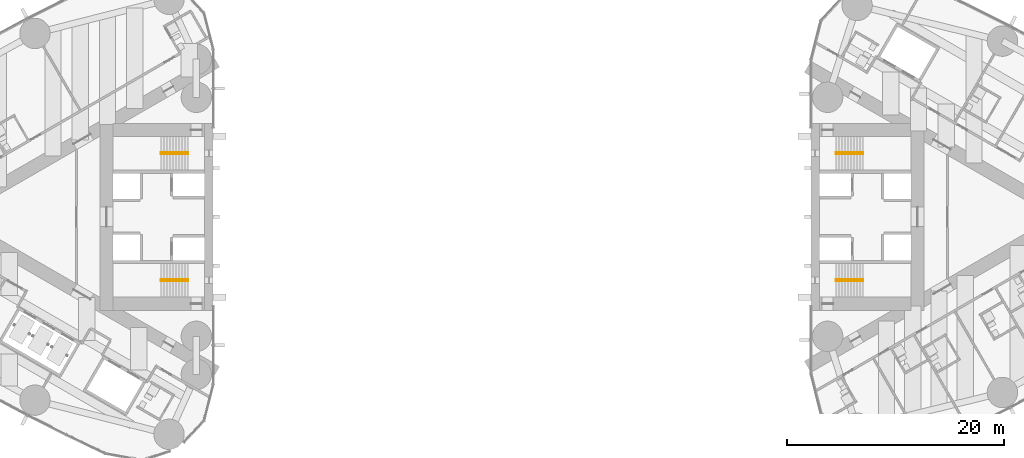
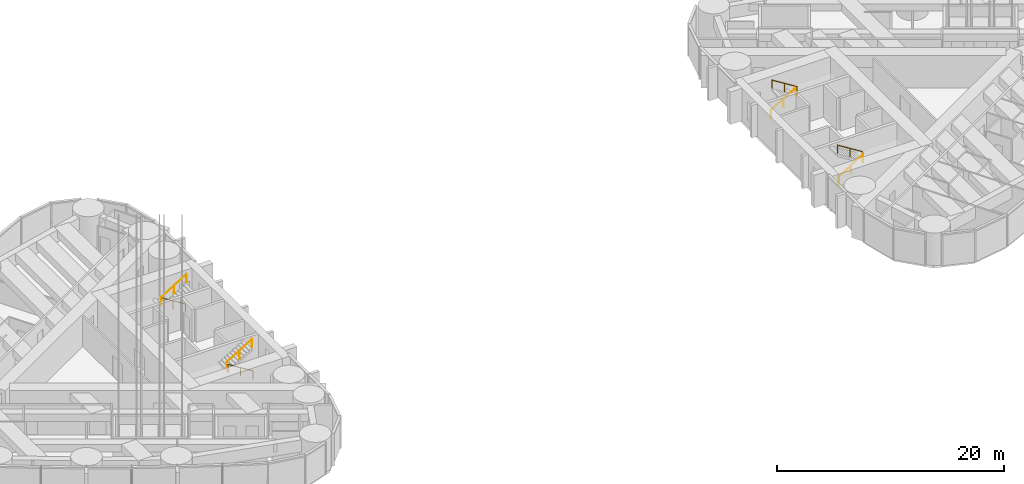
# One storey, part 18 of 21: 8 railings.
"""IFC4 building model written with IfcOpenShell, lengths in metres."""

from ifc_helpers import new_model, si_unit, direction, frame, origin, origin_2d, place, context, subcontext, project, spatial, circle, extrude, material, type_object, element, save


model = new_model("IFC4")

# Units and contexts
model_context = context("Model", 3, precision=1e-05, world=origin(), true_north=direction((0.0, 1.0)))
body_context = subcontext(model_context, "Body", "Model", "MODEL_VIEW")
ifc_project = project(units=[si_unit("LENGTHUNIT", "METRE"), si_unit("AREAUNIT", "SQUARE_METRE"), si_unit("VOLUMEUNIT", "CUBIC_METRE"), si_unit("PLANEANGLEUNIT", "RADIAN"), si_unit("MASSUNIT", "GRAM", prefix="KILO")], contexts=[model_context])

# Site, building, storey
site_placement = place(None, origin())
site = spatial("IfcSite", under=ifc_project, at=site_placement, CompositionType="ELEMENT")
building_placement = place(site_placement, origin())
building = spatial("IfcBuilding", under=site, at=building_placement, Name="Lancet Gate Hotel", CompositionType="ELEMENT")
storey_placement = place(building_placement, frame((0.0, 0.0, 156.300048828125)))
storey = spatial("IfcBuildingStorey", under=building, at=storey_placement, Name="L41", CompositionType="ELEMENT", Elevation=156.300048828125)

# Railings
ifc_material = material(Name="Stainless steel handrail", Category="steel")
railing_type = type_object("IfcRailingType", Name="Stair handrail 900", PredefinedType="HANDRAIL", material=ifc_material)
railing_1_placement = place(storey_placement, frame((-29.800048828125, 5.929931640625, 0.175048828125)))
element("IfcRailing", 1, at=railing_1_placement, inside=storey, type_object=railing_type, Name="ST1 handrail flight 1 L41", PredefinedType="HANDRAIL", context=body_context, shape_type="SweptSolid", body=[
    extrude(circle(Radius=0.02392578125, at=origin_2d()), frame((0.0, 0.0, 0.8759765625), z_axis=(-0.848007534815, 0.0, 0.529984170421), x_axis=(0.0, -1.0, 0.0)), (0.0, 0.0, 1.0), 2.9716796875),
    extrude(circle(Radius=0.02099609375, at=origin_2d()), origin(), (0.0, 0.0, 1.0), 0.851806640625),
    extrude(circle(Radius=0.02099609375, at=origin_2d()), frame((-1.260009765625, 0.0, 0.78759765625)), (0.0, 0.0, 1.0), 0.851806640625),
    extrude(circle(Radius=0.02099609375, at=origin_2d()), frame((-2.52001953125, 0.0, 1.574951171875)), (0.0, 0.0, 1.0), 0.851806640625),
])
railing_2_placement = place(storey_placement, frame((-32.320068359375, 5.77001953125, 1.925048828125)))
element("IfcRailing", 2, at=railing_2_placement, inside=storey, type_object=railing_type, Name="ST1 handrail flight 2 L41", PredefinedType="HANDRAIL", context=body_context, shape_type="SweptSolid", body=[
    extrude(circle(Radius=0.02392578125, at=origin_2d()), frame((0.0, 0.0, 0.8759765625), z_axis=(0.848007534815, 0.0, 0.529984170421), x_axis=(0.0, 1.0, 0.0)), (0.0, 0.0, 1.0), 2.9716796875),
    extrude(circle(Radius=0.02099609375, at=origin_2d()), origin(), (0.0, 0.0, 1.0), 0.851806640625),
    extrude(circle(Radius=0.02099609375, at=origin_2d()), frame((1.260009765625, 0.0, 0.78759765625)), (0.0, 0.0, 1.0), 0.851806640625),
    extrude(circle(Radius=0.02099609375, at=origin_2d()), frame((2.52001953125, 0.0, 1.574951171875)), (0.0, 0.0, 1.0), 0.851806640625),
])
railing_3_placement = place(storey_placement, frame((-29.800048828125, -5.929931640625, 0.175048828125)))
element("IfcRailing", 3, at=railing_3_placement, inside=storey, type_object=railing_type, Name="ST2 handrail flight 1 L41", PredefinedType="HANDRAIL", context=body_context, shape_type="SweptSolid", body=[
    extrude(circle(Radius=0.02392578125, at=origin_2d()), frame((0.0, 0.0, 0.8759765625), z_axis=(-0.848007534815, 0.0, 0.529984170421), x_axis=(0.0, -1.0, 0.0)), (0.0, 0.0, 1.0), 2.9716796875),
    extrude(circle(Radius=0.02099609375, at=origin_2d()), origin(), (0.0, 0.0, 1.0), 0.851806640625),
    extrude(circle(Radius=0.02099609375, at=origin_2d()), frame((-1.260009765625, 0.0, 0.78759765625)), (0.0, 0.0, 1.0), 0.851806640625),
    extrude(circle(Radius=0.02099609375, at=origin_2d()), frame((-2.52001953125, 0.0, 1.574951171875)), (0.0, 0.0, 1.0), 0.851806640625),
])
for number, where, name in (
    (4, (-32.320068359375, -5.77001953125, 1.925048828125), "ST2 handrail flight 2 L41"),
    (5, (29.800048828125, -5.929931640625, 0.175048828125), "ST3 handrail flight 1 L41"),
):
    element("IfcRailing", number, at=place(storey_placement, frame(where)), inside=storey, type_object=railing_type, Name=name, PredefinedType="HANDRAIL", context=body_context, shape_type="SweptSolid", body=[
        extrude(circle(Radius=0.02392578125, at=origin_2d()), frame((0.0, 0.0, 0.8759765625), z_axis=(0.848007534815, 0.0, 0.529984170421), x_axis=(0.0, 1.0, 0.0)), (0.0, 0.0, 1.0), 2.9716796875),
        extrude(circle(Radius=0.02099609375, at=origin_2d()), origin(), (0.0, 0.0, 1.0), 0.851806640625),
        extrude(circle(Radius=0.02099609375, at=origin_2d()), frame((1.260009765625, 0.0, 0.78759765625)), (0.0, 0.0, 1.0), 0.851806640625),
        extrude(circle(Radius=0.02099609375, at=origin_2d()), frame((2.52001953125, 0.0, 1.574951171875)), (0.0, 0.0, 1.0), 0.851806640625),
    ])
railing_4_placement = place(storey_placement, frame((32.320068359375, -5.77001953125, 1.925048828125)))
element("IfcRailing", 6, at=railing_4_placement, inside=storey, type_object=railing_type, Name="ST3 handrail flight 2 L41", PredefinedType="HANDRAIL", context=body_context, shape_type="SweptSolid", body=[
    extrude(circle(Radius=0.02392578125, at=origin_2d()), frame((0.0, 0.0, 0.8759765625), z_axis=(-0.848007534815, 0.0, 0.529984170421), x_axis=(0.0, -1.0, 0.0)), (0.0, 0.0, 1.0), 2.9716796875),
    extrude(circle(Radius=0.02099609375, at=origin_2d()), origin(), (0.0, 0.0, 1.0), 0.851806640625),
    extrude(circle(Radius=0.02099609375, at=origin_2d()), frame((-1.260009765625, 0.0, 0.78759765625)), (0.0, 0.0, 1.0), 0.851806640625),
    extrude(circle(Radius=0.02099609375, at=origin_2d()), frame((-2.52001953125, 0.0, 1.574951171875)), (0.0, 0.0, 1.0), 0.851806640625),
])
railing_5_placement = place(storey_placement, frame((29.800048828125, 5.929931640625, 0.175048828125)))
element("IfcRailing", 7, at=railing_5_placement, inside=storey, type_object=railing_type, Name="ST4 handrail flight 1 L41", PredefinedType="HANDRAIL", context=body_context, shape_type="SweptSolid", body=[
    extrude(circle(Radius=0.02392578125, at=origin_2d()), frame((0.0, 0.0, 0.8759765625), z_axis=(0.848007534815, 0.0, 0.529984170421), x_axis=(0.0, 1.0, 0.0)), (0.0, 0.0, 1.0), 2.9716796875),
    extrude(circle(Radius=0.02099609375, at=origin_2d()), origin(), (0.0, 0.0, 1.0), 0.851806640625),
    extrude(circle(Radius=0.02099609375, at=origin_2d()), frame((1.260009765625, 0.0, 0.78759765625)), (0.0, 0.0, 1.0), 0.851806640625),
    extrude(circle(Radius=0.02099609375, at=origin_2d()), frame((2.52001953125, 0.0, 1.574951171875)), (0.0, 0.0, 1.0), 0.851806640625),
])
railing_6_placement = place(storey_placement, frame((32.320068359375, 5.77001953125, 1.925048828125)))
element("IfcRailing", 8, at=railing_6_placement, inside=storey, type_object=railing_type, Name="ST4 handrail flight 2 L41", PredefinedType="HANDRAIL", context=body_context, shape_type="SweptSolid", body=[
    extrude(circle(Radius=0.02392578125, at=origin_2d()), frame((0.0, 0.0, 0.8759765625), z_axis=(-0.848007534815, 0.0, 0.529984170421), x_axis=(0.0, -1.0, 0.0)), (0.0, 0.0, 1.0), 2.9716796875),
    extrude(circle(Radius=0.02099609375, at=origin_2d()), origin(), (0.0, 0.0, 1.0), 0.851806640625),
    extrude(circle(Radius=0.02099609375, at=origin_2d()), frame((-1.260009765625, 0.0, 0.78759765625)), (0.0, 0.0, 1.0), 0.851806640625),
    extrude(circle(Radius=0.02099609375, at=origin_2d()), frame((-2.52001953125, 0.0, 1.574951171875)), (0.0, 0.0, 1.0), 0.851806640625),
])

save(model, "model.ifc")
